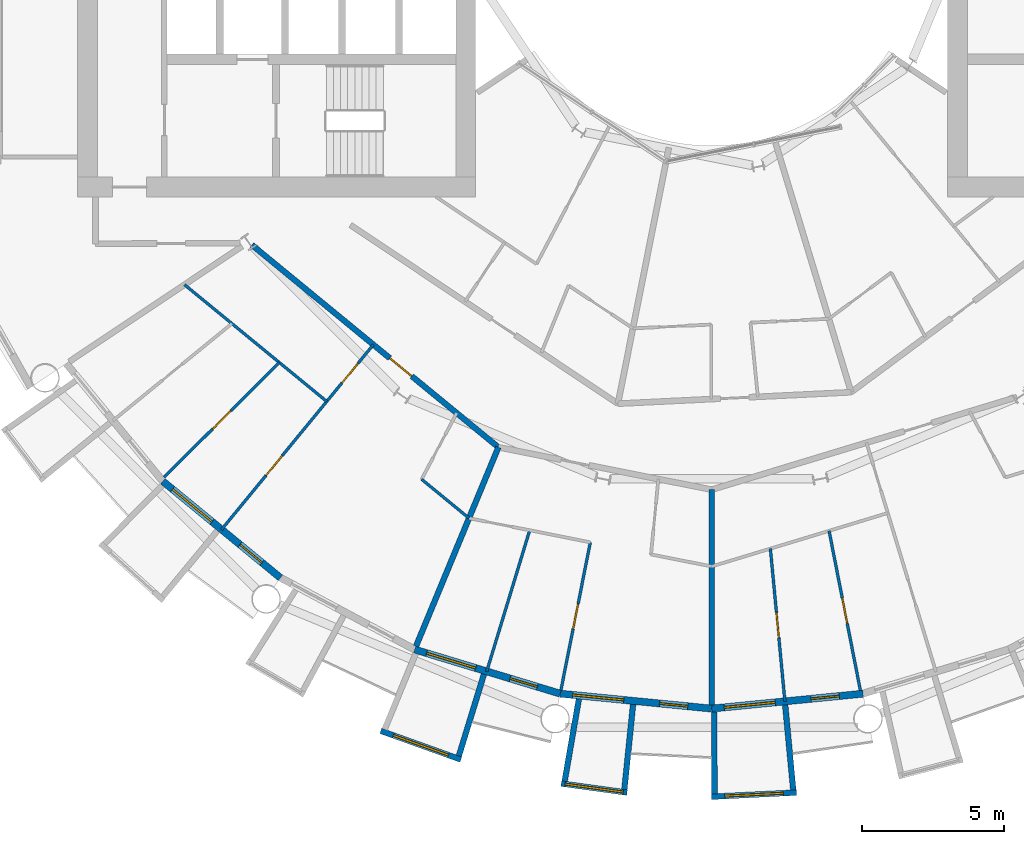
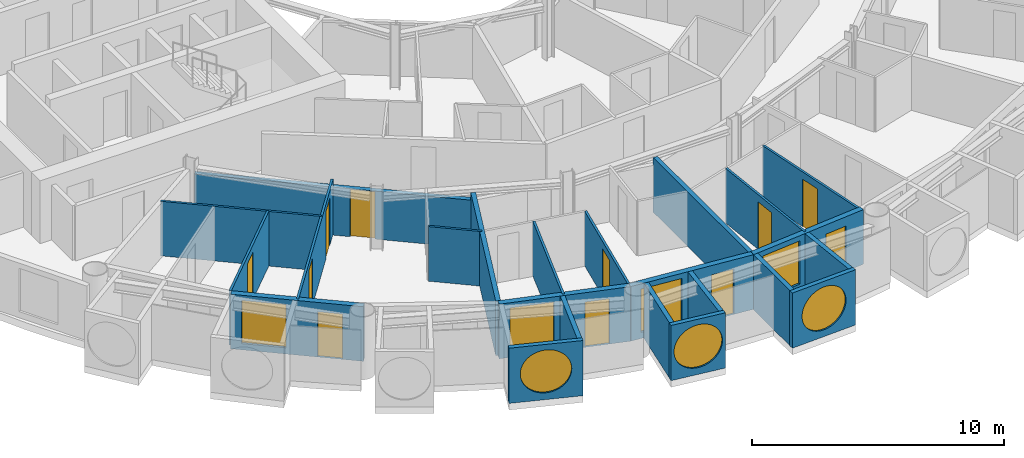
# One storey, part 13 of 25: 23 walls, 11 doors, 7 windows, 18 openings.
"""IFC4 building model written with IfcOpenShell, lengths in metres."""

from ifc_helpers import new_model, si_unit, direction, frame, frame_2d, origin, place, context, subcontext, project, spatial, rectangle, circle, extrude, material, layer, layer_set, type_object, element, fill, save


model = new_model("IFC4")

# Units and contexts
model_context = context("Model", 3, precision=1e-05, world=origin(), true_north=direction((0.0, 1.0)))
body_context = subcontext(model_context, "Body", "Model", "MODEL_VIEW")
ifc_project = project(units=[si_unit("LENGTHUNIT", "METRE"), si_unit("AREAUNIT", "SQUARE_METRE"), si_unit("VOLUMEUNIT", "CUBIC_METRE"), si_unit("PLANEANGLEUNIT", "RADIAN"), si_unit("MASSUNIT", "GRAM", prefix="KILO")], contexts=[model_context])

# Site, building, storey
site_placement = place(None, origin())
site = spatial("IfcSite", under=ifc_project, at=site_placement, CompositionType="ELEMENT")
building_placement = place(site_placement, origin())
building = spatial("IfcBuilding", under=site, at=building_placement, Name="Maasbend Ring Residences", CompositionType="ELEMENT")
storey_placement = place(building_placement, frame((0.0, 0.0, 94.10009765625)))
storey = spatial("IfcBuildingStorey", under=building, at=storey_placement, Name="L27", CompositionType="ELEMENT", Elevation=94.10009765625)

# Wall, opening, door
ifc_material_1 = material(Name="Concrete C30/37", Category="concrete")
ifc_layer_1 = layer(ifc_material_1, 0.199951171875)
ifc_layer_set_1 = layer_set([ifc_layer_1], Name="Concrete C30/37")
wall_type_1 = type_object("IfcWallType", Name="CORRIDOR WALL 200 CONCRETE", PredefinedType="PARTITIONING", material=ifc_layer_set_1)
wall_1_placement = place(storey_placement, frame((-16.173095703125, -10.990966796875, 0.0), z_axis=(0.0, 0.0, 1.0), x_axis=(0.773013989296, -0.634388975591, 0.0)))
wall_1 = element("IfcWall", 1, at=wall_1_placement, inside=storey, type_object=wall_type_1, Name="U-L27-w013", PredefinedType="PARTITIONING", context=body_context, shape_type="SweptSolid", body=[
    extrude(rectangle(XDim=11.218505859375, YDim=0.199951171875, at=frame_2d((5.609375, 0.0))), origin(), (0.0, 0.0, 1.0), 2.329833984375),
])
opening_1_placement = place(wall_1_placement, frame((6.278076171875, 0.0, 0.0)))
opening_1 = element("IfcOpeningElement", 2, at=opening_1_placement, cuts=wall_1, Name="Opening D-2732", PredefinedType="OPENING", context=body_context, shape_type="SweptSolid", body=[
    extrude(rectangle(XDim=1.0, YDim=2.300048828125, at=frame_2d((0.5, 1.14990234375))), frame((0.0, 0.10986328125, 0.0), z_axis=(0.0, -1.0, 0.0), x_axis=(1.0, 0.0, 0.0)), (0.0, 0.0, 1.0), 0.219970703125),
])
ifc_material_2 = material(Name="Timber, fire-rated, painted", Category="wood")
door_type_1 = type_object("IfcDoorType", Name="FLAT ENTRANCE DOOR 1000 X 2300 FIRE-RATED", OperationType="NOTDEFINED", PredefinedType="DOOR", material=ifc_material_2)
door_1_placement = place(opening_1_placement, origin())
door_1 = element("IfcDoor", 3, at=door_1_placement, inside=storey, type_object=door_type_1, Name="D-2732", OperationType="SINGLE_SWING_RIGHT", OverallHeight=2.300048828125, OverallWidth=1.0, PredefinedType="DOOR", context=body_context, shape_type="SweptSolid", body=[
    extrude(rectangle(XDim=1.0, YDim=2.300048828125, at=frame_2d((0.5, 1.14990234375))), frame((0.0, 0.02490234375, 0.0), z_axis=(0.0, -1.0, 0.0), x_axis=(1.0, 0.0, 0.0)), (0.0, 0.0, 1.0), 0.050048828125),
])
fill(opening_1, door_1)

# Wall, opening, window
ifc_material_3 = material(Name="Pale anodised aluminium panel", Category="aluminium")
ifc_layer_2 = layer(ifc_material_3, 0.199951171875)
ifc_layer_set_2 = layer_set([ifc_layer_2], Name="EW-BOX")
wall_type_2 = type_object("IfcWallType", Name="EW-BOX", PredefinedType="SOLIDWALL", material=ifc_layer_set_2)
wall_2_placement = place(storey_placement, frame((-11.637939453125, -28.083984375, -0.030029296875), z_axis=(0.0, 0.0, 1.0), x_axis=(0.941461077774, -0.337121697664, 0.0)))
wall_2 = element("IfcWall", 4, at=wall_2_placement, inside=storey, type_object=wall_type_2, Name="Box front S07", PredefinedType="SOLIDWALL", context=body_context, shape_type="SweptSolid", body=[
    extrude(rectangle(XDim=2.9931640625, YDim=0.199951171875, at=frame_2d((1.49658203125, 0.0))), origin(), (0.0, 0.0, 1.0), 2.679931640625),
])
opening_2_placement = place(wall_2_placement, frame((0.45654296875, 0.0, 0.330078125)))
opening_2 = element("IfcOpeningElement", 5, at=opening_2_placement, cuts=wall_2, Name="Opening W-RD", PredefinedType="OPENING", context=body_context, shape_type="SweptSolid", body=[
    extrude(circle(Radius=1.0400390625, at=frame_2d((1.0400390625, 1.0400390625))), frame((0.0, 0.10986328125, 0.0), z_axis=(0.0, -1.0, 0.0), x_axis=(1.0, 0.0, 0.0)), (0.0, 0.0, 1.0), 0.219970703125),
])
ifc_material_4 = material(Name="Aluminium and clear glass", Category="aluminium")
window_type_1 = type_object("IfcWindowType", Name="W-RD", PartitioningType="SINGLE_PANEL", PredefinedType="WINDOW", material=ifc_material_4)
window_1_placement = place(opening_2_placement, origin())
window_1 = element("IfcWindow", 6, at=window_1_placement, inside=storey, type_object=window_type_1, Name="Round window S07", OverallHeight=2.080078125, OverallWidth=2.080078125, PartitioningType="SINGLE_PANEL", PredefinedType="WINDOW", context=body_context, shape_type="SweptSolid", body=[
    extrude(circle(Radius=1.0400390625, at=frame_2d((1.0400390625, 1.0400390625))), frame((0.0, 0.030029296875, 0.0), z_axis=(0.0, -1.0, 0.0), x_axis=(1.0, 0.0, 0.0)), (0.0, 0.0, 1.0), 0.06005859375),
])
fill(opening_2, window_1)

# Wall
wall_3_placement = place(storey_placement, frame((-8.009033203125, -26.092041015625, -0.030029296875), z_axis=(0.0, 0.0, 1.0), x_axis=(-0.293406695073, -0.955987715029, 0.0)))
element("IfcWall", 7, at=wall_3_placement, inside=storey, type_object=wall_type_2, Name="Box side wall S07 right", PredefinedType="SOLIDWALL", context=body_context, shape_type="SweptSolid", body=[
    extrude(rectangle(XDim=3.00634765625, YDim=0.199951171875, at=frame_2d((1.503173828125, 0.0))), origin(), (0.0, 0.0, 1.0), 2.679931640625),
])

# Wall, opening, window
wall_4_placement = place(storey_placement, frame((-5.2900390625, -29.93603515625, -0.030029296875), z_axis=(0.0, 0.0, 1.0), x_axis=(0.990696111261, -0.136092671119, 0.0)))
wall_4 = element("IfcWall", 8, at=wall_4_placement, inside=storey, type_object=wall_type_2, Name="Box front S09", PredefinedType="SOLIDWALL", context=body_context, shape_type="SweptSolid", body=[
    extrude(rectangle(XDim=2.335693359375, YDim=0.199951171875, at=frame_2d((1.16796875, 0.0))), origin(), (0.0, 0.0, 1.0), 2.679931640625),
])
opening_3_placement = place(wall_4_placement, frame((0.128173828125, 0.0, 0.330078125)))
opening_3 = element("IfcOpeningElement", 9, at=opening_3_placement, cuts=wall_4, Name="Opening W-RD", PredefinedType="OPENING", context=body_context, shape_type="SweptSolid", body=[
    extrude(circle(Radius=1.0400390625, at=frame_2d((1.0400390625, 1.0400390625))), frame((0.0, 0.10986328125, 0.0), z_axis=(0.0, -1.0, 0.0), x_axis=(1.0, 0.0, 0.0)), (0.0, 0.0, 1.0), 0.219970703125),
])
window_2_placement = place(opening_3_placement, origin())
window_2 = element("IfcWindow", 10, at=window_2_placement, inside=storey, type_object=window_type_1, Name="Round window S09", OverallHeight=2.080078125, OverallWidth=2.080078125, PartitioningType="SINGLE_PANEL", PredefinedType="WINDOW", context=body_context, shape_type="SweptSolid", body=[
    extrude(circle(Radius=1.0400390625, at=frame_2d((1.0400390625, 1.0400390625))), frame((0.0, 0.030029296875, 0.0), z_axis=(0.0, -1.0, 0.0), x_axis=(1.0, 0.0, 0.0)), (0.0, 0.0, 1.0), 0.06005859375),
])
fill(opening_3, window_2)

# Walls
wall_5_placement = place(storey_placement, frame((-4.6708984375, -26.966064453125, -0.030029296875), z_axis=(0.0, 0.0, 1.0), x_axis=(-0.170539878907, -0.985350774954, 0.0)))
element("IfcWall", 11, at=wall_5_placement, inside=storey, type_object=wall_type_2, Name="Box side wall S09 left", PredefinedType="SOLIDWALL", context=body_context, shape_type="SweptSolid", body=[
    extrude(rectangle(XDim=2.931884765625, YDim=0.199951171875, at=frame_2d((1.4658203125, 0.0))), origin(), (0.0, 0.0, 1.0), 2.679931640625),
])
wall_6_placement = place(storey_placement, frame((-2.763916015625, -27.153076171875, -0.030029296875), z_axis=(0.0, 0.0, 1.0), x_axis=(-0.101505487237, -0.994834979311, 0.0)))
element("IfcWall", 12, at=wall_6_placement, inside=storey, type_object=wall_type_2, Name="Box side wall S09 right", PredefinedType="SOLIDWALL", context=body_context, shape_type="SweptSolid", body=[
    extrude(rectangle(XDim=3.006591796875, YDim=0.199951171875, at=frame_2d((1.50341796875, 0.0))), origin(), (0.0, 0.0, 1.0), 2.679931640625),
])

# Wall, opening, window
wall_7_placement = place(storey_placement, frame((-0.0048828125, -30.39990234375, -0.030029296875), z_axis=(0.0, 0.0, 1.0), x_axis=(0.998794083011, 0.049095618353, 0.0)))
wall_7 = element("IfcWall", 13, at=wall_7_placement, inside=storey, type_object=wall_type_2, Name="Box front S11", PredefinedType="SOLIDWALL", context=body_context, shape_type="SweptSolid", body=[
    extrude(rectangle(XDim=2.99365234375, YDim=0.199951171875, at=frame_2d((1.496826171875, 0.0))), origin(), (0.0, 0.0, 1.0), 2.679931640625),
])
opening_4_placement = place(wall_7_placement, frame((0.45654296875, 0.0, 0.330078125)))
opening_4 = element("IfcOpeningElement", 14, at=opening_4_placement, cuts=wall_7, Name="Opening W-RD", PredefinedType="OPENING", context=body_context, shape_type="SweptSolid", body=[
    extrude(circle(Radius=1.0400390625, at=frame_2d((1.0400390625, 1.0400390625))), frame((0.0, 0.10986328125, 0.0), z_axis=(0.0, -1.0, 0.0), x_axis=(1.0, 0.0, 0.0)), (0.0, 0.0, 1.0), 0.219970703125),
])
window_3_placement = place(opening_4_placement, origin())
window_3 = element("IfcWindow", 15, at=window_3_placement, inside=storey, type_object=window_type_1, Name="Round window S11", OverallHeight=2.080078125, OverallWidth=2.080078125, PartitioningType="SINGLE_PANEL", PredefinedType="WINDOW", context=body_context, shape_type="SweptSolid", body=[
    extrude(circle(Radius=1.0400390625, at=frame_2d((1.0400390625, 1.0400390625))), frame((0.0, 0.030029296875, 0.0), z_axis=(0.0, -1.0, 0.0), x_axis=(1.0, 0.0, 0.0)), (0.0, 0.0, 1.0), 0.06005859375),
])
fill(opening_4, window_3)

# Walls
wall_8_placement = place(storey_placement, frame((0.090087890625, -27.4169921875, -0.030029296875), z_axis=(0.0, 0.0, 1.0), x_axis=(0.00347308367, -0.999993968827, 0.0)))
element("IfcWall", 16, at=wall_8_placement, inside=storey, type_object=wall_type_2, Name="Box side wall S11 left", PredefinedType="SOLIDWALL", context=body_context, shape_type="SweptSolid", body=[
    extrude(rectangle(XDim=2.882080078125, YDim=0.199951171875, at=frame_2d((1.44091796875, 0.0))), origin(), (0.0, 0.0, 1.0), 2.679931640625),
])
wall_9_placement = place(storey_placement, frame((2.5859375, -27.1708984375, -0.030029296875), z_axis=(0.0, 0.0, 1.0), x_axis=(0.094548432284, -0.995520262954, 0.0)))
element("IfcWall", 17, at=wall_9_placement, inside=storey, type_object=wall_type_2, Name="Box side wall S11 right", PredefinedType="SOLIDWALL", context=body_context, shape_type="SweptSolid", body=[
    extrude(rectangle(XDim=3.005615234375, YDim=0.199951171875, at=frame_2d((1.5029296875, 0.0))), origin(), (0.0, 0.0, 1.0), 2.679931640625),
])

# Wall, openings, door, window
ifc_material_5 = material(Name="Aluminium clad insulated panel", Category="aluminium")
ifc_layer_3 = layer(ifc_material_5, 0.25)
ifc_layer_set_3 = layer_set([ifc_layer_3], Name="EW-GL")
wall_type_3 = type_object("IfcWallType", Name="EW-GL", PredefinedType="SOLIDWALL", material=ifc_layer_set_3)
wall_10_placement = place(storey_placement, frame((-19.303955078125, -19.303955078125, 0.0), z_axis=(0.0, 0.0, 1.0), x_axis=(0.773019449054, -0.634382322723, 0.0)))
wall_10 = element("IfcWall", 18, at=wall_10_placement, inside=storey, type_object=wall_type_3, Name="External wall S02", PredefinedType="SOLIDWALL", context=body_context, shape_type="SweptSolid", body=[
    extrude(rectangle(XDim=5.351806640625, YDim=0.25, at=frame_2d((2.67578125, 0.0))), origin(), (0.0, 0.0, 1.0), 2.64990234375),
])
opening_5_placement = place(wall_10_placement, frame((0.441162109375, 0.0, 0.300048828125)))
opening_5 = element("IfcOpeningElement", 19, at=opening_5_placement, cuts=wall_10, Name="Opening W-BX", PredefinedType="OPENING", context=body_context, shape_type="SweptSolid", body=[
    extrude(rectangle(XDim=1.800048828125, YDim=2.10009765625, at=frame_2d((0.89990234375, 1.050048828125))), frame((0.0, 0.135009765625, 0.0), z_axis=(0.0, -1.0, 0.0), x_axis=(1.0, 0.0, 0.0)), (0.0, 0.0, 1.0), 0.27001953125),
])
opening_6_placement = place(wall_10_placement, frame((3.510498046875, 0.0, 0.0)))
opening_6 = element("IfcOpeningElement", 20, at=opening_6_placement, cuts=wall_10, Name="Opening D-LG", PredefinedType="OPENING", context=body_context, shape_type="SweptSolid", body=[
    extrude(rectangle(XDim=1.0, YDim=2.199951171875, at=frame_2d((0.5, 1.10009765625))), frame((0.0, 0.135009765625, 0.0), z_axis=(0.0, -1.0, 0.0), x_axis=(1.0, 0.0, 0.0)), (0.0, 0.0, 1.0), 0.27001953125),
])
ifc_material_6 = material(Name="Aluminium and clear glass", Category="aluminium")
door_type_2 = type_object("IfcDoorType", Name="D-LG", OperationType="SINGLE_SWING_LEFT", PredefinedType="DOOR", material=ifc_material_6)
door_2_placement = place(opening_6_placement, origin())
door_2 = element("IfcDoor", 21, at=door_2_placement, inside=storey, type_object=door_type_2, Name="Loggia door S04", OperationType="SINGLE_SWING_LEFT", OverallHeight=2.199951171875, OverallWidth=1.0, PredefinedType="DOOR", context=body_context, shape_type="SweptSolid", body=[
    extrude(rectangle(XDim=1.0, YDim=2.199951171875, at=frame_2d((0.5, 1.10009765625))), frame((0.0, 0.02490234375, 0.0), z_axis=(0.0, -1.0, 0.0), x_axis=(1.0, 0.0, 0.0)), (0.0, 0.0, 1.0), 0.050048828125),
])
fill(opening_6, door_2)
ifc_material_7 = material(Name="Aluminium and clear glass", Category="aluminium")
window_type_2 = type_object("IfcWindowType", Name="W-BX", PartitioningType="DOUBLE_PANEL_VERTICAL", PredefinedType="WINDOW", material=ifc_material_7)
window_4_placement = place(opening_5_placement, origin())
window_4 = element("IfcWindow", 22, at=window_4_placement, inside=storey, type_object=window_type_2, Name="Window S03 room to box", OverallHeight=2.10009765625, OverallWidth=1.800048828125, PartitioningType="SINGLE_PANEL", PredefinedType="WINDOW", context=body_context, shape_type="SweptSolid", body=[
    extrude(rectangle(XDim=1.800048828125, YDim=2.10009765625, at=frame_2d((0.89990234375, 1.050048828125))), frame((0.0, 0.030029296875, 0.0), z_axis=(0.0, -1.0, 0.0), x_axis=(1.0, 0.0, 0.0)), (0.0, 0.0, 1.0), 0.06005859375),
])
fill(opening_5, window_4)

wall_11_placement = place(storey_placement, frame((-10.447021484375, -25.221923828125, 0.0), z_axis=(0.0, 0.0, 1.0), x_axis=(0.956965678721, -0.290201119486, 0.0)))
wall_11 = element("IfcWall", 23, at=wall_11_placement, inside=storey, type_object=wall_type_3, Name="External wall S04", PredefinedType="SOLIDWALL", context=body_context, shape_type="SweptSolid", body=[
    extrude(rectangle(XDim=5.351318359375, YDim=0.25, at=frame_2d((2.67578125, 0.0))), origin(), (0.0, 0.0, 1.0), 2.64990234375),
])
opening_7_placement = place(wall_11_placement, frame((0.441162109375, 0.0, 0.300048828125)))
opening_7 = element("IfcOpeningElement", 24, at=opening_7_placement, cuts=wall_11, Name="Opening W-BX", PredefinedType="OPENING", context=body_context, shape_type="SweptSolid", body=[
    extrude(rectangle(XDim=1.800048828125, YDim=2.10009765625, at=frame_2d((0.89990234375, 1.050048828125))), frame((0.0, 0.135009765625, 0.0), z_axis=(0.0, -1.0, 0.0), x_axis=(1.0, 0.0, 0.0)), (0.0, 0.0, 1.0), 0.27001953125),
])
opening_8_placement = place(wall_11_placement, frame((3.510498046875, 0.0, 0.0)))
opening_8 = element("IfcOpeningElement", 25, at=opening_8_placement, cuts=wall_11, Name="Opening D-LG", PredefinedType="OPENING", context=body_context, shape_type="SweptSolid", body=[
    extrude(rectangle(XDim=1.0, YDim=2.199951171875, at=frame_2d((0.5, 1.10009765625))), frame((0.0, 0.135009765625, 0.0), z_axis=(0.0, -1.0, 0.0), x_axis=(1.0, 0.0, 0.0)), (0.0, 0.0, 1.0), 0.27001953125),
])
door_3_placement = place(opening_8_placement, origin())
door_3 = element("IfcDoor", 26, at=door_3_placement, inside=storey, type_object=door_type_2, Name="Loggia door S08", OperationType="SINGLE_SWING_LEFT", OverallHeight=2.199951171875, OverallWidth=1.0, PredefinedType="DOOR", context=body_context, shape_type="SweptSolid", body=[
    extrude(rectangle(XDim=1.0, YDim=2.199951171875, at=frame_2d((0.5, 1.10009765625))), frame((0.0, 0.02490234375, 0.0), z_axis=(0.0, -1.0, 0.0), x_axis=(1.0, 0.0, 0.0)), (0.0, 0.0, 1.0), 0.050048828125),
])
fill(opening_8, door_3)
window_5_placement = place(opening_7_placement, origin())
window_5 = element("IfcWindow", 27, at=window_5_placement, inside=storey, type_object=window_type_2, Name="Window S07 room to box", OverallHeight=2.10009765625, OverallWidth=1.800048828125, PartitioningType="SINGLE_PANEL", PredefinedType="WINDOW", context=body_context, shape_type="SweptSolid", body=[
    extrude(rectangle(XDim=1.800048828125, YDim=2.10009765625, at=frame_2d((0.89990234375, 1.050048828125))), frame((0.0, 0.030029296875, 0.0), z_axis=(0.0, -1.0, 0.0), x_axis=(1.0, 0.0, 0.0)), (0.0, 0.0, 1.0), 0.06005859375),
])
fill(opening_7, window_5)

wall_12_placement = place(storey_placement, frame((-5.325927734375, -26.77490234375, 0.0), z_axis=(0.0, 0.0, 1.0), x_axis=(0.995173996315, -0.098126026407, 0.0)))
wall_12 = element("IfcWall", 28, at=wall_12_placement, inside=storey, type_object=wall_type_3, Name="External wall S05", PredefinedType="SOLIDWALL", context=body_context, shape_type="SweptSolid", body=[
    extrude(rectangle(XDim=5.351806640625, YDim=0.25, at=frame_2d((2.67578125, 0.0))), origin(), (0.0, 0.0, 1.0), 2.64990234375),
])
opening_9_placement = place(wall_12_placement, frame((0.441162109375, 0.0, 0.300048828125)))
opening_9 = element("IfcOpeningElement", 29, at=opening_9_placement, cuts=wall_12, Name="Opening W-BX", PredefinedType="OPENING", context=body_context, shape_type="SweptSolid", body=[
    extrude(rectangle(XDim=1.800048828125, YDim=2.10009765625, at=frame_2d((0.89990234375, 1.050048828125))), frame((0.0, 0.135009765625, 0.0), z_axis=(0.0, -1.0, 0.0), x_axis=(1.0, 0.0, 0.0)), (0.0, 0.0, 1.0), 0.27001953125),
])
opening_10_placement = place(wall_12_placement, frame((3.510498046875, 0.0, 0.0)))
opening_10 = element("IfcOpeningElement", 30, at=opening_10_placement, cuts=wall_12, Name="Opening D-LG", PredefinedType="OPENING", context=body_context, shape_type="SweptSolid", body=[
    extrude(rectangle(XDim=1.0, YDim=2.199951171875, at=frame_2d((0.5, 1.10009765625))), frame((0.0, 0.135009765625, 0.0), z_axis=(0.0, -1.0, 0.0), x_axis=(1.0, 0.0, 0.0)), (0.0, 0.0, 1.0), 0.27001953125),
])
door_4_placement = place(opening_10_placement, origin())
door_4 = element("IfcDoor", 31, at=door_4_placement, inside=storey, type_object=door_type_2, Name="Loggia door S10", OperationType="SINGLE_SWING_LEFT", OverallHeight=2.199951171875, OverallWidth=1.0, PredefinedType="DOOR", context=body_context, shape_type="SweptSolid", body=[
    extrude(rectangle(XDim=1.0, YDim=2.199951171875, at=frame_2d((0.5, 1.10009765625))), frame((0.0, 0.02490234375, 0.0), z_axis=(0.0, -1.0, 0.0), x_axis=(1.0, 0.0, 0.0)), (0.0, 0.0, 1.0), 0.050048828125),
])
fill(opening_10, door_4)
window_6_placement = place(opening_9_placement, origin())
window_6 = element("IfcWindow", 32, at=window_6_placement, inside=storey, type_object=window_type_2, Name="Window S09 room to box", OverallHeight=2.10009765625, OverallWidth=1.800048828125, PartitioningType="SINGLE_PANEL", PredefinedType="WINDOW", context=body_context, shape_type="SweptSolid", body=[
    extrude(rectangle(XDim=1.800048828125, YDim=2.10009765625, at=frame_2d((0.89990234375, 1.050048828125))), frame((0.0, 0.030029296875, 0.0), z_axis=(0.0, -1.0, 0.0), x_axis=(1.0, 0.0, 0.0)), (0.0, 0.0, 1.0), 0.06005859375),
])
fill(opening_9, window_6)

wall_13_placement = place(storey_placement, frame((0.0, -27.300048828125, 0.0), z_axis=(0.0, 0.0, 1.0), x_axis=(0.995173996315, 0.098126026407, 0.0)))
wall_13 = element("IfcWall", 33, at=wall_13_placement, inside=storey, type_object=wall_type_3, Name="External wall S06", PredefinedType="SOLIDWALL", context=body_context, shape_type="SweptSolid", body=[
    extrude(rectangle(XDim=5.351806640625, YDim=0.25, at=frame_2d((2.67578125, 0.0))), origin(), (0.0, 0.0, 1.0), 2.64990234375),
])
opening_11_placement = place(wall_13_placement, frame((0.441162109375, 0.0, 0.300048828125)))
opening_11 = element("IfcOpeningElement", 34, at=opening_11_placement, cuts=wall_13, Name="Opening W-BX", PredefinedType="OPENING", context=body_context, shape_type="SweptSolid", body=[
    extrude(rectangle(XDim=1.800048828125, YDim=2.10009765625, at=frame_2d((0.89990234375, 1.050048828125))), frame((0.0, 0.135009765625, 0.0), z_axis=(0.0, -1.0, 0.0), x_axis=(1.0, 0.0, 0.0)), (0.0, 0.0, 1.0), 0.27001953125),
])
opening_12_placement = place(wall_13_placement, frame((3.510498046875, 0.0, 0.0)))
opening_12 = element("IfcOpeningElement", 35, at=opening_12_placement, cuts=wall_13, Name="Opening D-LG", PredefinedType="OPENING", context=body_context, shape_type="SweptSolid", body=[
    extrude(rectangle(XDim=1.0, YDim=2.199951171875, at=frame_2d((0.5, 1.10009765625))), frame((0.0, 0.135009765625, 0.0), z_axis=(0.0, -1.0, 0.0), x_axis=(1.0, 0.0, 0.0)), (0.0, 0.0, 1.0), 0.27001953125),
])
door_5_placement = place(opening_12_placement, origin())
door_5 = element("IfcDoor", 36, at=door_5_placement, inside=storey, type_object=door_type_2, Name="Loggia door S12", OperationType="SINGLE_SWING_LEFT", OverallHeight=2.199951171875, OverallWidth=1.0, PredefinedType="DOOR", context=body_context, shape_type="SweptSolid", body=[
    extrude(rectangle(XDim=1.0, YDim=2.199951171875, at=frame_2d((0.5, 1.10009765625))), frame((0.0, 0.02490234375, 0.0), z_axis=(0.0, -1.0, 0.0), x_axis=(1.0, 0.0, 0.0)), (0.0, 0.0, 1.0), 0.050048828125),
])
fill(opening_12, door_5)
window_7_placement = place(opening_11_placement, origin())
window_7 = element("IfcWindow", 37, at=window_7_placement, inside=storey, type_object=window_type_2, Name="Window S11 room to box", OverallHeight=2.10009765625, OverallWidth=1.800048828125, PartitioningType="SINGLE_PANEL", PredefinedType="WINDOW", context=body_context, shape_type="SweptSolid", body=[
    extrude(rectangle(XDim=1.800048828125, YDim=2.10009765625, at=frame_2d((0.89990234375, 1.050048828125))), frame((0.0, 0.030029296875, 0.0), z_axis=(0.0, -1.0, 0.0), x_axis=(1.0, 0.0, 0.0)), (0.0, 0.0, 1.0), 0.06005859375),
])
fill(opening_11, window_7)

# Walls
ifc_material_8 = material(Name="Gypsum board on steel studs", Category="steel")
ifc_layer_4 = layer(ifc_material_8, 0.10009765625)
ifc_layer_set_4 = layer_set([ifc_layer_4], Name="PARTITION 100 GYPSUM")
wall_type_4 = type_object("IfcWallType", Name="PARTITION 100 GYPSUM", PredefinedType="PARTITIONING", material=ifc_layer_set_4)
wall_14_placement = place(storey_placement, frame((-18.5419921875, -12.388916015625, 0.0), z_axis=(0.0, 0.0, 1.0), x_axis=(0.77296666644, -0.634446634929, 0.0)))
element("IfcWall", 38, at=wall_14_placement, inside=storey, type_object=wall_type_4, Name="U-L27-w007", PredefinedType="PARTITIONING", context=body_context, shape_type="SweptSolid", body=[
    extrude(rectangle(XDim=6.4736328125, YDim=0.10009765625, at=frame_2d((3.23681640625, 0.0))), origin(), (0.0, 0.0, 1.0), 2.64990234375),
])
wall_15_placement = place(storey_placement, frame((-10.201904296875, -19.23388671875, 0.0), z_axis=(0.0, 0.0, 1.0), x_axis=(0.772948171844, -0.634469166818, 0.0)))
element("IfcWall", 39, at=wall_15_placement, inside=storey, type_object=wall_type_4, Name="U-L27-w008", PredefinedType="PARTITIONING", context=body_context, shape_type="SweptSolid", body=[
    extrude(rectangle(XDim=2.157958984375, YDim=0.10009765625, at=frame_2d((1.0791015625, 0.0))), origin(), (0.0, 0.0, 1.0), 2.64990234375),
])

# Wall, opening, door
wall_16_placement = place(storey_placement, frame((-19.264892578125, -19.166015625, 0.0), z_axis=(0.0, 0.0, 1.0), x_axis=(0.708831450128, 0.705377895393, 0.0)))
wall_16 = element("IfcWall", 40, at=wall_16_placement, inside=storey, type_object=wall_type_4, Name="U-L27-w031", PredefinedType="PARTITIONING", context=body_context, shape_type="SweptSolid", body=[
    extrude(rectangle(XDim=5.72607421875, YDim=0.10009765625, at=frame_2d((2.863037109375, 0.0))), origin(), (0.0, 0.0, 1.0), 2.64990234375),
])
opening_13_placement = place(wall_16_placement, frame((2.4130859375, 0.0, 0.0)))
opening_13 = element("IfcOpeningElement", 41, at=opening_13_placement, cuts=wall_16, Name="Opening D-2736", PredefinedType="OPENING", context=body_context, shape_type="SweptSolid", body=[
    extrude(rectangle(XDim=0.89990234375, YDim=2.300048828125, at=frame_2d((0.449951171875, 1.14990234375))), frame((0.0, 0.06005859375, 0.0), z_axis=(0.0, -1.0, 0.0), x_axis=(1.0, 0.0, 0.0)), (0.0, 0.0, 1.0), 0.1201171875),
])
ifc_material_9 = material(Name="Timber, painted", Category="wood")
door_type_3 = type_object("IfcDoorType", Name="INTERNAL DOOR 900 X 2300", OperationType="NOTDEFINED", PredefinedType="DOOR", material=ifc_material_9)
door_6_placement = place(opening_13_placement, origin())
door_6 = element("IfcDoor", 42, at=door_6_placement, inside=storey, type_object=door_type_3, Name="D-2736", OperationType="SINGLE_SWING_LEFT", OverallHeight=2.300048828125, OverallWidth=0.89990234375, PredefinedType="DOOR", context=body_context, shape_type="SweptSolid", body=[
    extrude(rectangle(XDim=0.89990234375, YDim=2.300048828125, at=frame_2d((0.449951171875, 1.14990234375))), frame((0.0, 0.02490234375, 0.0), z_axis=(0.0, -1.0, 0.0), x_axis=(1.0, 0.0, 0.0)), (0.0, 0.0, 1.0), 0.050048828125),
])
fill(opening_13, door_6)

# Wall, openings, doors
wall_17_placement = place(storey_placement, frame((-17.240966796875, -21.006103515625, 0.0), z_axis=(0.0, 0.0, 1.0), x_axis=(0.634522338131, 0.772904523478, 0.0)))
wall_17 = element("IfcWall", 43, at=wall_17_placement, inside=storey, type_object=wall_type_4, Name="U-L27-w032", PredefinedType="PARTITIONING", context=body_context, shape_type="SweptSolid", body=[
    extrude(rectangle(XDim=8.4189453125, YDim=0.10009765625, at=frame_2d((4.20947265625, 0.0))), origin(), (0.0, 0.0, 1.0), 2.64990234375),
])
opening_14_placement = place(wall_17_placement, frame((6.677001953125, 0.0, 0.0)))
opening_14 = element("IfcOpeningElement", 44, at=opening_14_placement, cuts=wall_17, Name="Opening D-2734", PredefinedType="OPENING", context=body_context, shape_type="SweptSolid", body=[
    extrude(rectangle(XDim=0.89990234375, YDim=2.300048828125, at=frame_2d((0.449951171875, 1.14990234375))), frame((0.0, 0.06005859375, 0.0), z_axis=(0.0, -1.0, 0.0), x_axis=(1.0, 0.0, 0.0)), (0.0, 0.0, 1.0), 0.1201171875),
])
opening_15_placement = place(wall_17_placement, frame((2.466064453125, 0.0, 0.0)))
opening_15 = element("IfcOpeningElement", 45, at=opening_15_placement, cuts=wall_17, Name="Opening D-2735", PredefinedType="OPENING", context=body_context, shape_type="SweptSolid", body=[
    extrude(rectangle(XDim=0.89990234375, YDim=2.300048828125, at=frame_2d((0.449951171875, 1.14990234375))), frame((0.0, 0.06005859375, 0.0), z_axis=(0.0, -1.0, 0.0), x_axis=(1.0, 0.0, 0.0)), (0.0, 0.0, 1.0), 0.1201171875),
])
door_7_placement = place(opening_14_placement, origin())
door_7 = element("IfcDoor", 46, at=door_7_placement, inside=storey, type_object=door_type_3, Name="D-2734", OperationType="SINGLE_SWING_RIGHT", OverallHeight=2.300048828125, OverallWidth=0.89990234375, PredefinedType="DOOR", context=body_context, shape_type="SweptSolid", body=[
    extrude(rectangle(XDim=0.89990234375, YDim=2.300048828125, at=frame_2d((0.449951171875, 1.14990234375))), frame((0.0, 0.02490234375, 0.0), z_axis=(0.0, -1.0, 0.0), x_axis=(1.0, 0.0, 0.0)), (0.0, 0.0, 1.0), 0.050048828125),
])
fill(opening_14, door_7)
door_8_placement = place(opening_15_placement, origin())
door_8 = element("IfcDoor", 47, at=door_8_placement, inside=storey, type_object=door_type_3, Name="D-2735", OperationType="SINGLE_SWING_LEFT", OverallHeight=2.300048828125, OverallWidth=0.89990234375, PredefinedType="DOOR", context=body_context, shape_type="SweptSolid", body=[
    extrude(rectangle(XDim=0.89990234375, YDim=2.300048828125, at=frame_2d((0.449951171875, 1.14990234375))), frame((0.0, 0.02490234375, 0.0), z_axis=(0.0, -1.0, 0.0), x_axis=(1.0, 0.0, 0.0)), (0.0, 0.0, 1.0), 0.050048828125),
])
fill(opening_15, door_8)

# Wall
wall_18_placement = place(storey_placement, frame((-7.9130859375, -25.9970703125, 0.0), z_axis=(0.0, 0.0, 1.0), x_axis=(0.291264462755, 0.956642573136, 0.0)))
element("IfcWall", 48, at=wall_18_placement, inside=storey, type_object=wall_type_4, Name="U-L27-w042", PredefinedType="PARTITIONING", context=body_context, shape_type="SweptSolid", body=[
    extrude(rectangle(XDim=5.1953125, YDim=0.10009765625, at=frame_2d((2.59765625, 0.0))), origin(), (0.0, 0.0, 1.0), 2.64990234375),
])

# Wall, opening, door
wall_19_placement = place(storey_placement, frame((-5.302001953125, -26.653076171875, 0.0), z_axis=(0.0, 0.0, 1.0), x_axis=(0.195115793364, 0.980780213493, 0.0)))
wall_19 = element("IfcWall", 49, at=wall_19_placement, inside=storey, type_object=wall_type_4, Name="U-L27-w048", PredefinedType="PARTITIONING", context=body_context, shape_type="SweptSolid", body=[
    extrude(rectangle(XDim=5.30419921875, YDim=0.10009765625, at=frame_2d((2.652099609375, 0.0))), origin(), (0.0, 0.0, 1.0), 2.64990234375),
])
opening_16_placement = place(wall_19_placement, frame((2.201904296875, 0.0, 0.0)))
opening_16 = element("IfcOpeningElement", 50, at=opening_16_placement, cuts=wall_19, Name="Opening D-2740", PredefinedType="OPENING", context=body_context, shape_type="SweptSolid", body=[
    extrude(rectangle(XDim=0.89990234375, YDim=2.300048828125, at=frame_2d((0.449951171875, 1.14990234375))), frame((0.0, 0.06005859375, 0.0), z_axis=(0.0, -1.0, 0.0), x_axis=(1.0, 0.0, 0.0)), (0.0, 0.0, 1.0), 0.1201171875),
])
door_9_placement = place(opening_16_placement, origin())
door_9 = element("IfcDoor", 51, at=door_9_placement, inside=storey, type_object=door_type_3, Name="D-2740", OperationType="SINGLE_SWING_LEFT", OverallHeight=2.300048828125, OverallWidth=0.89990234375, PredefinedType="DOOR", context=body_context, shape_type="SweptSolid", body=[
    extrude(rectangle(XDim=0.89990234375, YDim=2.300048828125, at=frame_2d((0.449951171875, 1.14990234375))), frame((0.0, 0.02490234375, 0.0), z_axis=(0.0, -1.0, 0.0), x_axis=(1.0, 0.0, 0.0)), (0.0, 0.0, 1.0), 0.050048828125),
])
fill(opening_16, door_9)

wall_20_placement = place(storey_placement, frame((2.06494140625, -21.674072265625, 0.0), z_axis=(0.0, 0.0, 1.0), x_axis=(0.094751520537, -0.99550095397, 0.0)))
wall_20 = element("IfcWall", 52, at=wall_20_placement, inside=storey, type_object=wall_type_4, Name="U-L27-w061", PredefinedType="PARTITIONING", context=body_context, shape_type="SweptSolid", body=[
    extrude(rectangle(XDim=5.4033203125, YDim=0.10009765625, at=frame_2d((2.70166015625, 0.0))), origin(), (0.0, 0.0, 1.0), 2.64990234375),
])
opening_17_placement = place(wall_20_placement, frame((2.251953125, 0.0, 0.0)))
opening_17 = element("IfcOpeningElement", 53, at=opening_17_placement, cuts=wall_20, Name="Opening D-2747", PredefinedType="OPENING", context=body_context, shape_type="SweptSolid", body=[
    extrude(rectangle(XDim=0.89990234375, YDim=2.300048828125, at=frame_2d((0.449951171875, 1.14990234375))), frame((0.0, 0.06005859375, 0.0), z_axis=(0.0, -1.0, 0.0), x_axis=(1.0, 0.0, 0.0)), (0.0, 0.0, 1.0), 0.1201171875),
])
door_10_placement = place(opening_17_placement, origin())
door_10 = element("IfcDoor", 54, at=door_10_placement, inside=storey, type_object=door_type_3, Name="D-2747", OperationType="SINGLE_SWING_LEFT", OverallHeight=2.300048828125, OverallWidth=0.89990234375, PredefinedType="DOOR", context=body_context, shape_type="SweptSolid", body=[
    extrude(rectangle(XDim=0.89990234375, YDim=2.300048828125, at=frame_2d((0.449951171875, 1.14990234375))), frame((0.0, 0.02490234375, 0.0), z_axis=(0.0, -1.0, 0.0), x_axis=(1.0, 0.0, 0.0)), (0.0, 0.0, 1.0), 0.050048828125),
])
fill(opening_17, door_10)

wall_21_placement = place(storey_placement, frame((4.1298828125, -21.047119140625, 0.0), z_axis=(0.0, 0.0, 1.0), x_axis=(0.192433779325, -0.981309961518, 0.0)))
wall_21 = element("IfcWall", 55, at=wall_21_placement, inside=storey, type_object=wall_type_4, Name="U-L27-w065", PredefinedType="PARTITIONING", context=body_context, shape_type="SweptSolid", body=[
    extrude(rectangle(XDim=5.726806640625, YDim=0.10009765625, at=frame_2d((2.86328125, 0.0))), origin(), (0.0, 0.0, 1.0), 2.64990234375),
])
opening_18_placement = place(wall_21_placement, frame((2.4140625, 0.0, 0.0)))
opening_18 = element("IfcOpeningElement", 56, at=opening_18_placement, cuts=wall_21, Name="Opening D-2746", PredefinedType="OPENING", context=body_context, shape_type="SweptSolid", body=[
    extrude(rectangle(XDim=0.89990234375, YDim=2.300048828125, at=frame_2d((0.449951171875, 1.14990234375))), frame((0.0, 0.06005859375, 0.0), z_axis=(0.0, -1.0, 0.0), x_axis=(1.0, 0.0, 0.0)), (0.0, 0.0, 1.0), 0.1201171875),
])
door_11_placement = place(opening_18_placement, origin())
door_11 = element("IfcDoor", 57, at=door_11_placement, inside=storey, type_object=door_type_3, Name="D-2746", OperationType="SINGLE_SWING_RIGHT", OverallHeight=2.300048828125, OverallWidth=0.89990234375, PredefinedType="DOOR", context=body_context, shape_type="SweptSolid", body=[
    extrude(rectangle(XDim=0.89990234375, YDim=2.300048828125, at=frame_2d((0.449951171875, 1.14990234375))), frame((0.0, 0.02490234375, 0.0), z_axis=(0.0, -1.0, 0.0), x_axis=(1.0, 0.0, 0.0)), (0.0, 0.0, 1.0), 0.050048828125),
])
fill(opening_18, door_11)

# Walls
ifc_material_10 = material(Name="Concrete C30/37", Category="concrete")
ifc_layer_5 = layer(ifc_material_10, 0.199951171875)
ifc_layer_set_5 = layer_set([ifc_layer_5], Name="Concrete C30/37")
wall_type_5 = type_object("IfcWallType", Name="PARTY WALL 200 CONCRETE", PredefinedType="PARTITIONING", material=ifc_layer_set_5)
wall_22_placement = place(storey_placement, frame((-10.39892578125, -25.10595703125, 0.0), z_axis=(0.0, 0.0, 1.0), x_axis=(0.382600411313, 0.923913916587, 0.0)))
element("IfcWall", 58, at=wall_22_placement, inside=storey, type_object=wall_type_5, Name="U-L27-w037", PredefinedType="PARTITIONING", context=body_context, shape_type="SweptSolid", body=[
    extrude(rectangle(XDim=7.574462890625, YDim=0.199951171875, at=frame_2d((3.787109375, 0.0))), origin(), (0.0, 0.0, 1.0), 2.64990234375),
])
wall_23_placement = place(storey_placement, frame((0.0, -27.175048828125, 0.0), z_axis=(0.0, 0.0, 1.0), x_axis=(0.0, 1.0, 0.0)))
element("IfcWall", 59, at=wall_23_placement, inside=storey, type_object=wall_type_5, Name="U-L27-w057", PredefinedType="PARTITIONING", context=body_context, shape_type="SweptSolid", body=[
    extrude(rectangle(XDim=7.574951171875, YDim=0.199951171875, at=frame_2d((3.78759765625, 0.0))), origin(), (0.0, 0.0, 1.0), 2.64990234375),
])

save(model, "model.ifc")
